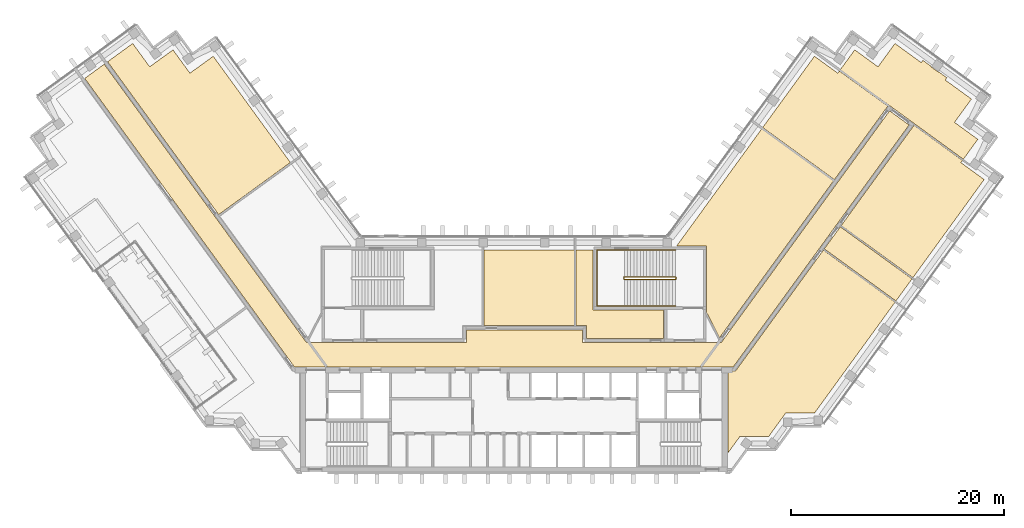
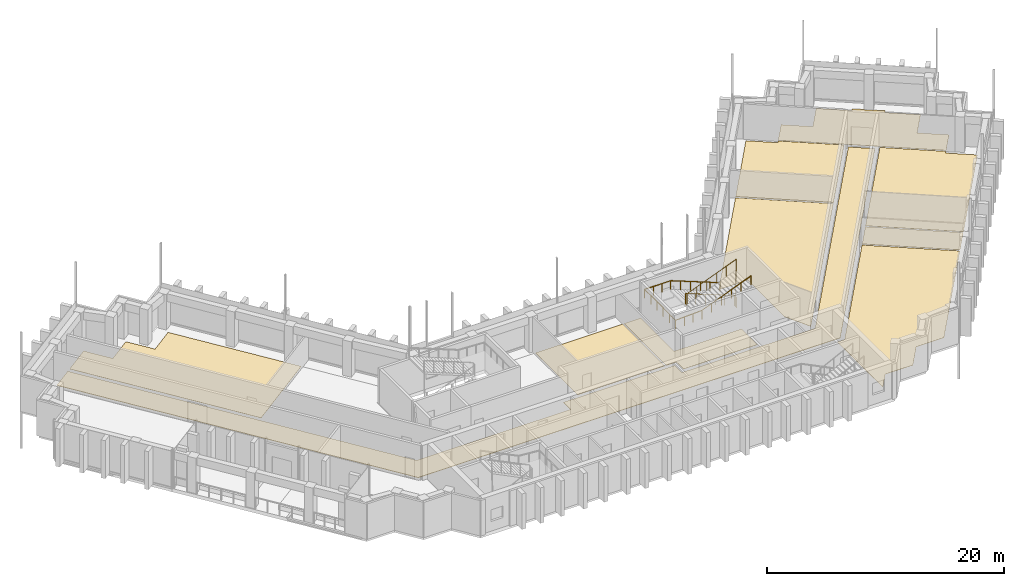
# One storey, part 15 of 15: 10 coverings, 2 railings.
"""IFC4 building model written with IfcOpenShell, lengths in metres."""

from ifc_helpers import new_model, si_unit, direction, frame, origin, origin_2d, place, context, subcontext, project, spatial, polyline, circle, outline, extrude, material, layer, layer_set, type_object, element, save


model = new_model("IFC4")

# Units and contexts
model_context = context("Model", 3, precision=1e-05, world=origin(), true_north=direction((0.0, 1.0)))
body_context = subcontext(model_context, "Body", "Model", "MODEL_VIEW")
ifc_project = project(units=[si_unit("LENGTHUNIT", "METRE"), si_unit("AREAUNIT", "SQUARE_METRE"), si_unit("VOLUMEUNIT", "CUBIC_METRE"), si_unit("PLANEANGLEUNIT", "RADIAN"), si_unit("MASSUNIT", "GRAM", prefix="KILO")], contexts=[model_context])

# Site, building, storey
site_placement = place(None, origin())
site = spatial("IfcSite", under=ifc_project, at=site_placement, CompositionType="ELEMENT")
building_placement = place(site_placement, origin())
building = spatial("IfcBuilding", under=site, at=building_placement, Name="Quipu Civic Tower", CompositionType="ELEMENT")
storey_placement = place(building_placement, frame((0.0, 0.0, 160.0)))
storey = spatial("IfcBuildingStorey", under=building, at=storey_placement, Name="L37", CompositionType="ELEMENT", Elevation=160.0)

# Coverings
ifc_material_1 = material(Name="Carpet tile on raised access floor")
ifc_layer_1 = layer(ifc_material_1, 0.02001953125)
ifc_layer_set_1 = layer_set([ifc_layer_1], Name="Carpet tile on raised access floor")
covering_type_1 = type_object("IfcCoveringType", Name="Carpet tile floor finish 20", PredefinedType="FLOORING", material=ifc_layer_set_1)
covering_1_placement = place(storey_placement, origin())
element("IfcCovering", 1, at=covering_1_placement, inside=storey, type_object=covering_type_1, Name="Carpet tile floor finish 20", PredefinedType="FLOORING", context=body_context, shape_type="SweptSolid", body=[
    extrude(outline(polyline([(15.238037109375, 10.169921875), (23.235107421875, 21.177001953125), (29.9580078125, 16.29296875), (19.27197265625, 1.583984375), (18.070068359375, 3.94189453125), (18.070068359375, 10.1689453125), (15.238037109375, 10.169921875)])), origin(), (0.0, 0.0, 1.0), 0.02001953125),
])
covering_2_placement = place(storey_placement, origin())
element("IfcCovering", 2, at=covering_2_placement, inside=storey, type_object=covering_type_1, Name="Carpet tile floor finish 20", PredefinedType="FLOORING", context=body_context, shape_type="SweptSolid", body=[
    extrude(outline(polyline([(20.070068359375, -9.195068359375), (20.070068359375, -1.52001953125), (20.77490234375, -1.51904296875), (29.0029296875, 9.805908203125), (35.72607421875, 4.922119140625), (28.181884765625, -5.4609375), (25.48193359375, -5.4619140625), (23.89501953125, -7.64599609375), (21.196044921875, -7.64599609375), (20.070068359375, -9.195068359375)])), origin(), (0.0, 0.0, 1.0), 0.02001953125),
])
covering_3_placement = place(storey_placement, origin())
element("IfcCovering", 3, at=covering_3_placement, inside=storey, type_object=covering_type_1, Name="Carpet tile floor finish 20", PredefinedType="FLOORING", context=body_context, shape_type="SweptSolid", body=[
    extrude(outline(polyline([(30.673095703125, 12.10302734375), (37.4990234375, 21.5), (42.0380859375, 18.201904296875), (41.89208984375, 17.9990234375), (44.074951171875, 16.4140625), (37.39599609375, 7.218994140625), (30.673095703125, 12.10302734375)])), origin(), (0.0, 0.0, 1.0), 0.02001953125),
])
covering_4_placement = place(storey_placement, origin())
element("IfcCovering", 4, at=covering_4_placement, inside=storey, type_object=covering_type_1, Name="Carpet tile floor finish 20", PredefinedType="FLOORING", context=body_context, shape_type="SweptSolid", body=[
    extrude(outline(polyline([(-2.80908203125, 9.830078125), (5.68798828125, 9.830078125), (5.68798828125, 2.719970703125), (-2.80908203125, 2.719970703125), (-2.80908203125, 9.830078125)])), origin(), (0.0, 0.0, 1.0), 0.02001953125),
])
covering_5_placement = place(storey_placement, origin())
element("IfcCovering", 5, at=covering_5_placement, inside=storey, type_object=covering_type_1, Name="Carpet tile floor finish 20", PredefinedType="FLOORING", context=body_context, shape_type="SweptSolid", body=[
    extrude(outline(polyline([(-38.06689453125, 27.4541015625), (-35.712890625, 29.1640625), (-34.126953125, 26.97998046875), (-31.94091796875, 28.56591796875), (-30.35400390625, 26.383056640625), (-28.169921875, 27.968994140625), (-20.93798828125, 18.013916015625), (-27.660888671875, 13.1298828125), (-38.06689453125, 27.4541015625)])), origin(), (0.0, 0.0, 1.0), 0.02001953125),
])
covering_6_placement = place(storey_placement, origin())
element("IfcCovering", 6, at=covering_6_placement, inside=storey, type_object=covering_type_1, Name="Carpet tile floor finish 20", PredefinedType="FLOORING", context=body_context, shape_type="SweptSolid", body=[
    extrude(outline(polyline([(30.583984375, 26.697021484375), (31.94189453125, 28.56591796875), (34.126953125, 26.97998046875), (35.712890625, 29.1640625), (38.169921875, 27.37890625), (38.324951171875, 27.587890625), (39.0869140625, 27.033935546875), (39.0849609375, 27.030029296875), (39.0830078125, 27.02490234375), (39.08203125, 27.02001953125), (39.08203125, 27.014892578125), (39.08203125, 27.010986328125), (39.0830078125, 27.006103515625), (39.083984375, 27.0009765625), (39.0849609375, 26.99609375), (39.0869140625, 26.991943359375), (39.089111328125, 26.987060546875), (39.092041015625, 26.98291015625), (39.094970703125, 26.97998046875), (39.09912109375, 26.97607421875), (39.10302734375, 26.972900390625), (39.75, 26.5029296875), (39.75390625, 26.5), (39.758056640625, 26.498046875), (39.762939453125, 26.49609375), (39.76806640625, 26.4951171875), (39.77197265625, 26.493896484375), (39.777099609375, 26.492919921875), (39.781982421875, 26.492919921875), (39.787109375, 26.493896484375), (39.7919921875, 26.4951171875), (39.7958984375, 26.49609375), (39.801025390625, 26.498046875), (39.804931640625, 26.5009765625), (39.80908203125, 26.5029296875), (39.81298828125, 26.507080078125), (40.574951171875, 25.952880859375), (40.424072265625, 25.740966796875), (42.881103515625, 23.95703125), (41.2939453125, 21.77294921875), (43.47802734375, 20.18505859375), (42.12109375, 18.31591796875), (30.583984375, 26.697021484375)])), origin(), (0.0, 0.0, 1.0), 0.02001953125),
])
ifc_material_2 = material(Name="Ceramic floor tile")
ifc_layer_2 = layer(ifc_material_2, 0.030029296875)
ifc_layer_set_2 = layer_set([ifc_layer_2], Name="Ceramic floor tile")
covering_type_2 = type_object("IfcCoveringType", Name="Ceramic tile floor finish 30", PredefinedType="FLOORING", material=ifc_layer_set_2)
covering_7_placement = place(storey_placement, origin())
element("IfcCovering", 7, at=covering_7_placement, inside=storey, type_object=covering_type_2, Name="Ceramic tile floor finish 30", PredefinedType="FLOORING", context=body_context, shape_type="SweptSolid", body=[
    extrude(outline(polyline([(29.0859375, 9.9189453125), (30.590087890625, 11.989990234375), (37.31298828125, 7.10595703125), (35.80908203125, 5.034912109375), (29.0859375, 9.9189453125)])), origin(), (0.0, 0.0, 1.0), 0.030029296875),
])
covering_8_placement = place(storey_placement, origin())
element("IfcCovering", 8, at=covering_8_placement, inside=storey, type_object=covering_type_2, Name="Ceramic tile floor finish 30", PredefinedType="FLOORING", context=body_context, shape_type="SweptSolid", body=[
    extrude(outline(polyline([(5.827880859375, 2.719970703125), (5.827880859375, 9.830078125), (7.429931640625, 9.830078125), (7.430908203125, 4.179931640625), (14.030029296875, 4.179931640625), (14.030029296875, 1.52001953125), (6.820068359375, 1.52001953125), (6.820068359375, 2.718994140625), (5.827880859375, 2.719970703125)])), origin(), (0.0, 0.0, 1.0), 0.030029296875),
])
ifc_material_3 = material(Name="Sealed cement screed")
ifc_layer_3 = layer(ifc_material_3, 0.050048828125)
ifc_layer_set_3 = layer_set([ifc_layer_3], Name="Sealed cement screed")
covering_type_3 = type_object("IfcCoveringType", Name="Sealed screed floor finish 50", PredefinedType="FLOORING", material=ifc_layer_set_3)
covering_9_placement = place(storey_placement, origin())
element("IfcCovering", 9, at=covering_9_placement, inside=storey, type_object=covering_type_3, Name="Sealed screed floor finish 50", PredefinedType="FLOORING", context=body_context, shape_type="SweptSolid", body=[
    extrude(outline(polyline([(23.318115234375, 21.2900390625), (28.169921875, 27.968994140625), (30.35302734375, 26.383056640625), (30.5009765625, 26.583984375), (35.0400390625, 23.2880859375), (30.041015625, 16.406005859375), (23.318115234375, 21.2900390625)])), origin(), (0.0, 0.0, 1.0), 0.050048828125),
])

# Railings
ifc_material_4 = material(Name="Stainless steel", Category="steel")
railing_type_1 = type_object("IfcRailingType", Name="Stair guard 1100", PredefinedType="GUARDRAIL", material=ifc_material_4)
railing_1_placement = place(storey_placement, frame((15.14990234375, 7.300048828125, 0.11767578125)))
element("IfcRailing", 10, at=railing_1_placement, inside=storey, type_object=railing_type_1, Name="Stair 4 guard", PredefinedType="GUARDRAIL", context=body_context, shape_type="SweptSolid", body=[
    extrude(circle(Radius=0.02392578125, at=origin_2d()), frame((0.0, 0.0, 1.076171875), z_axis=(-0.930970042603, 0.0, 0.365095576219), x_axis=(0.0, -1.0, 0.0)), (0.0, 0.0, 1.0), 5.15576171875),
    extrude(circle(Radius=0.02392578125, at=origin_2d()), frame((-4.7998046875, 0.0, 2.95849609375), z_axis=(-0.707106781187, -0.707106781187, 0.0), x_axis=(0.707106781187, -0.707106781187, 0.0)), (0.0, 0.0, 1.0), 0.07080078125),
    extrude(circle(Radius=0.02392578125, at=origin_2d()), frame((-4.849853515625, -0.050048828125, 2.95849609375), z_axis=(0.0, -1.0, 0.0), x_axis=(1.0, 0.0, 0.0)), (0.0, 0.0, 1.0), 0.14990234375),
    extrude(circle(Radius=0.02392578125, at=origin_2d()), frame((-4.849853515625, -0.199951171875, 2.95849609375), z_axis=(0.364463019033, -0.364463019033, 0.856932561824), x_axis=(0.707106781187, 0.707106781187, 0.0)), (0.0, 0.0, 1.0), 0.13720703125),
    extrude(circle(Radius=0.02392578125, at=origin_2d()), frame((-4.7998046875, -0.25, 3.076171875), z_axis=(0.930970042603, 0.0, 0.365095576219), x_axis=(0.0, 1.0, 0.0)), (0.0, 0.0, 1.0), 5.15576171875),
    extrude(circle(Radius=0.02392578125, at=origin_2d()), frame((0.0, -0.25, 4.95849609375), z_axis=(0.012495627992, 0.049921557685, -0.998674970829), x_axis=(-0.970072785993, 0.242814311512, 0.0)), (0.0, 0.0, 1.0), 4.00537109375),
    extrude(circle(Radius=0.02392578125, at=origin_2d()), frame((0.050048828125, -0.050048828125, 0.95849609375), z_axis=(0.0, -1.0, 0.0), x_axis=(1.0, 0.0, 0.0)), (0.0, 0.0, 1.0), 0.14990234375),
    extrude(circle(Radius=0.02099609375, at=origin_2d()), origin(), (0.0, 0.0, 1.0), 1.052001953125),
    extrude(circle(Radius=0.02099609375, at=origin_2d()), frame((-0.9599609375, 0.0, 0.37646484375)), (0.0, 0.0, 1.0), 1.052001953125),
    extrude(circle(Radius=0.02099609375, at=origin_2d()), frame((-1.919921875, 0.0, 0.7529296875)), (0.0, 0.0, 1.0), 1.052001953125),
    extrude(circle(Radius=0.02099609375, at=origin_2d()), frame((-2.8798828125, 0.0, 1.12939453125)), (0.0, 0.0, 1.0), 1.052001953125),
    extrude(circle(Radius=0.02099609375, at=origin_2d()), frame((-3.83984375, 0.0, 1.505859375)), (0.0, 0.0, 1.0), 1.052001953125),
    extrude(circle(Radius=0.02099609375, at=origin_2d()), frame((-4.7998046875, 0.0, 1.88232421875)), (0.0, 0.0, 1.0), 1.052001953125),
    extrude(circle(Radius=0.02099609375, at=origin_2d()), frame((-4.849853515625, -0.050048828125, 1.88232421875)), (0.0, 0.0, 1.0), 1.052001953125),
    extrude(circle(Radius=0.02099609375, at=origin_2d()), frame((-4.849853515625, -0.199951171875, 1.88232421875)), (0.0, 0.0, 1.0), 1.052001953125),
    extrude(circle(Radius=0.02099609375, at=origin_2d()), frame((-4.7998046875, -0.25, 2.0)), (0.0, 0.0, 1.0), 1.052001953125),
    extrude(circle(Radius=0.02099609375, at=origin_2d()), frame((-3.83984375, -0.25, 2.37646484375)), (0.0, 0.0, 1.0), 1.052001953125),
    extrude(circle(Radius=0.02099609375, at=origin_2d()), frame((-2.8798828125, -0.25, 2.7529296875)), (0.0, 0.0, 1.0), 1.052001953125),
    extrude(circle(Radius=0.02099609375, at=origin_2d()), frame((-1.919921875, -0.25, 3.12939453125)), (0.0, 0.0, 1.0), 1.052001953125),
    extrude(circle(Radius=0.02099609375, at=origin_2d()), frame((-0.9599609375, -0.25, 3.505859375)), (0.0, 0.0, 1.0), 1.052001953125),
    extrude(circle(Radius=0.02099609375, at=origin_2d()), frame((0.0, -0.25, 3.88232421875)), (0.0, 0.0, 1.0), 1.052001953125),
    extrude(circle(Radius=0.02099609375, at=origin_2d()), frame((0.012451171875, -0.199951171875, 2.88232421875)), (0.0, 0.0, 1.0), 1.052001953125),
    extrude(circle(Radius=0.02099609375, at=origin_2d()), frame((0.02490234375, -0.14990234375, 1.88232421875)), (0.0, 0.0, 1.0), 1.052001953125),
    extrude(circle(Radius=0.02099609375, at=origin_2d()), frame((0.03759765625, -0.10009765625, 0.88232421875)), (0.0, 0.0, 1.0), 1.052001953125),
    extrude(circle(Radius=0.02099609375, at=origin_2d()), frame((0.050048828125, -0.050048828125, -0.11767578125)), (0.0, 0.0, 1.0), 1.052001953125),
    extrude(circle(Radius=0.02099609375, at=origin_2d()), frame((0.050048828125, -0.199951171875, -0.11767578125)), (0.0, 0.0, 1.0), 1.052001953125),
])
ifc_material_5 = material(Name="Stainless steel", Category="steel")
railing_type_2 = type_object("IfcRailingType", Name="Stair handrail", PredefinedType="HANDRAIL", material=ifc_material_5)
railing_2_placement = place(storey_placement, frame((15.14990234375, 9.800048828125, 0.11767578125)))
element("IfcRailing", 11, at=railing_2_placement, inside=storey, type_object=railing_type_2, Name="Stair 4 handrail", PredefinedType="HANDRAIL", context=body_context, shape_type="SweptSolid", body=[
    extrude(circle(Radius=0.02392578125, at=origin_2d()), frame((0.0, 0.0, 0.8759765625), z_axis=(-0.930970042603, 0.0, 0.365095576219), x_axis=(0.0, -1.0, 0.0)), (0.0, 0.0, 1.0), 5.15576171875),
    extrude(circle(Radius=0.02392578125, at=origin_2d()), frame((-4.7998046875, 0.0, 2.75830078125), z_axis=(-1.0, 0.0, 0.0), x_axis=(0.0, -1.0, 0.0)), (0.0, 0.0, 1.0), 2.550048828125),
    extrude(circle(Radius=0.02392578125, at=origin_2d()), frame((-7.349853515625, 0.0, 2.75830078125), z_axis=(0.0, -1.0, 0.0), x_axis=(1.0, 0.0, 0.0)), (0.0, 0.0, 1.0), 5.25),
    extrude(circle(Radius=0.02392578125, at=origin_2d()), frame((-7.349853515625, -5.25, 2.75830078125), z_axis=(0.998936948642, 0.0, 0.04609742549), x_axis=(0.0, 1.0, 0.0)), (0.0, 0.0, 1.0), 2.552734375),
    extrude(circle(Radius=0.02392578125, at=origin_2d()), frame((-4.7998046875, -5.25, 2.8759765625), z_axis=(0.930970042603, 0.0, 0.365095576219), x_axis=(0.0, 1.0, 0.0)), (0.0, 0.0, 1.0), 5.15576171875),
    extrude(circle(Radius=0.02099609375, at=origin_2d()), origin(), (0.0, 0.0, 1.0), 0.851806640625),
    extrude(circle(Radius=0.02099609375, at=origin_2d()), frame((-0.9599609375, 0.0, 0.37646484375)), (0.0, 0.0, 1.0), 0.851806640625),
    extrude(circle(Radius=0.02099609375, at=origin_2d()), frame((-1.919921875, 0.0, 0.7529296875)), (0.0, 0.0, 1.0), 0.851806640625),
    extrude(circle(Radius=0.02099609375, at=origin_2d()), frame((-2.8798828125, 0.0, 1.12939453125)), (0.0, 0.0, 1.0), 0.851806640625),
    extrude(circle(Radius=0.02099609375, at=origin_2d()), frame((-3.83984375, 0.0, 1.505859375)), (0.0, 0.0, 1.0), 0.851806640625),
    extrude(circle(Radius=0.02099609375, at=origin_2d()), frame((-4.7998046875, 0.0, 1.88232421875)), (0.0, 0.0, 1.0), 0.851806640625),
    extrude(circle(Radius=0.02099609375, at=origin_2d()), frame((-5.64990234375, 0.0, 1.88232421875)), (0.0, 0.0, 1.0), 0.851806640625),
    extrude(circle(Radius=0.02099609375, at=origin_2d()), frame((-6.499755859375, 0.0, 1.88232421875)), (0.0, 0.0, 1.0), 0.851806640625),
    extrude(circle(Radius=0.02099609375, at=origin_2d()), frame((-7.349853515625, 0.0, 1.88232421875)), (0.0, 0.0, 1.0), 0.851806640625),
    extrude(circle(Radius=0.02099609375, at=origin_2d()), frame((-7.349853515625, -1.050048828125, 1.88232421875)), (0.0, 0.0, 1.0), 0.851806640625),
    extrude(circle(Radius=0.02099609375, at=origin_2d()), frame((-7.349853515625, -2.10009765625, 1.88232421875)), (0.0, 0.0, 1.0), 0.851806640625),
    extrude(circle(Radius=0.02099609375, at=origin_2d()), frame((-7.349853515625, -3.14990234375, 1.88232421875)), (0.0, 0.0, 1.0), 0.851806640625),
    extrude(circle(Radius=0.02099609375, at=origin_2d()), frame((-7.349853515625, -4.199951171875, 1.88232421875)), (0.0, 0.0, 1.0), 0.851806640625),
    extrude(circle(Radius=0.02099609375, at=origin_2d()), frame((-7.349853515625, -5.25, 1.88232421875)), (0.0, 0.0, 1.0), 0.851806640625),
    extrude(circle(Radius=0.02099609375, at=origin_2d()), frame((-6.499755859375, -5.25, 1.921630859375)), (0.0, 0.0, 1.0), 0.851806640625),
    extrude(circle(Radius=0.02099609375, at=origin_2d()), frame((-5.64990234375, -5.25, 1.960693359375)), (0.0, 0.0, 1.0), 0.851806640625),
    extrude(circle(Radius=0.02099609375, at=origin_2d()), frame((-4.7998046875, -5.25, 2.0)), (0.0, 0.0, 1.0), 0.851806640625),
    extrude(circle(Radius=0.02099609375, at=origin_2d()), frame((-3.83984375, -5.25, 2.37646484375)), (0.0, 0.0, 1.0), 0.851806640625),
    extrude(circle(Radius=0.02099609375, at=origin_2d()), frame((-2.8798828125, -5.25, 2.7529296875)), (0.0, 0.0, 1.0), 0.851806640625),
    extrude(circle(Radius=0.02099609375, at=origin_2d()), frame((-1.919921875, -5.25, 3.12939453125)), (0.0, 0.0, 1.0), 0.851806640625),
    extrude(circle(Radius=0.02099609375, at=origin_2d()), frame((-0.9599609375, -5.25, 3.505859375)), (0.0, 0.0, 1.0), 0.851806640625),
    extrude(circle(Radius=0.02099609375, at=origin_2d()), frame((0.0, -5.25, 3.88232421875)), (0.0, 0.0, 1.0), 0.851806640625),
])

# Covering
ifc_material_6 = material(Name="Terrazzo floor finish")
ifc_layer_4 = layer(ifc_material_6, 0.0400390625)
ifc_layer_set_4 = layer_set([ifc_layer_4], Name="Terrazzo floor finish")
covering_type_4 = type_object("IfcCoveringType", Name="Terrazzo floor finish 40", PredefinedType="FLOORING", material=ifc_layer_set_4)
covering_10_placement = place(storey_placement, origin())
element("IfcCovering", 12, at=covering_10_placement, inside=storey, type_object=covering_type_4, Name="Terrazzo floor finish 40", PredefinedType="FLOORING", context=body_context, shape_type="SweptSolid", body=[
    extrude(outline(polyline([(6.429931640625, 1.1298828125), (19.425048828125, 1.1298828125), (35.208984375, 22.85498046875), (37.037109375, 21.527099609375), (20.574951171875, -1.1298828125), (-20.574951171875, -1.1298828125), (-40.2109375, 25.89599609375), (-38.382080078125, 27.22412109375), (-19.425048828125, 1.1298828125), (-4.429931640625, 1.1298828125), (-4.429931640625, 2.330078125), (6.429931640625, 2.330078125), (6.429931640625, 1.1298828125)])), origin(), (0.0, 0.0, 1.0), 0.0400390625),
])

save(model, "model.ifc")
